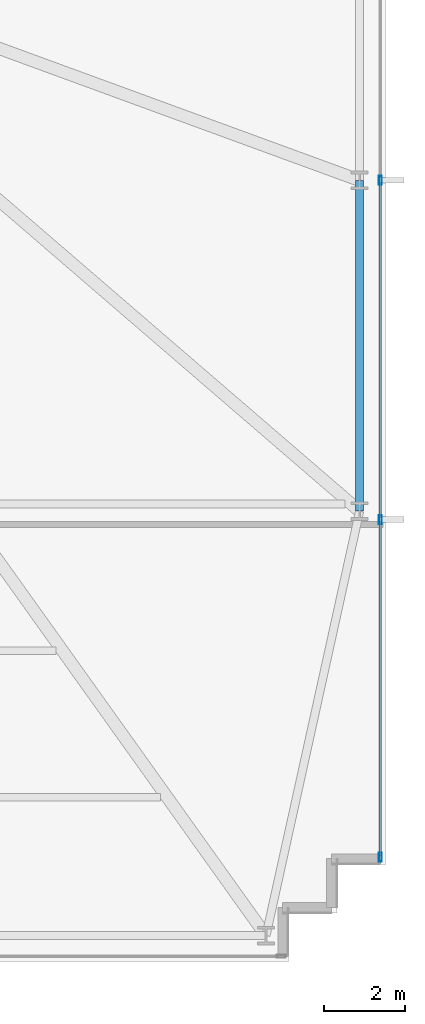
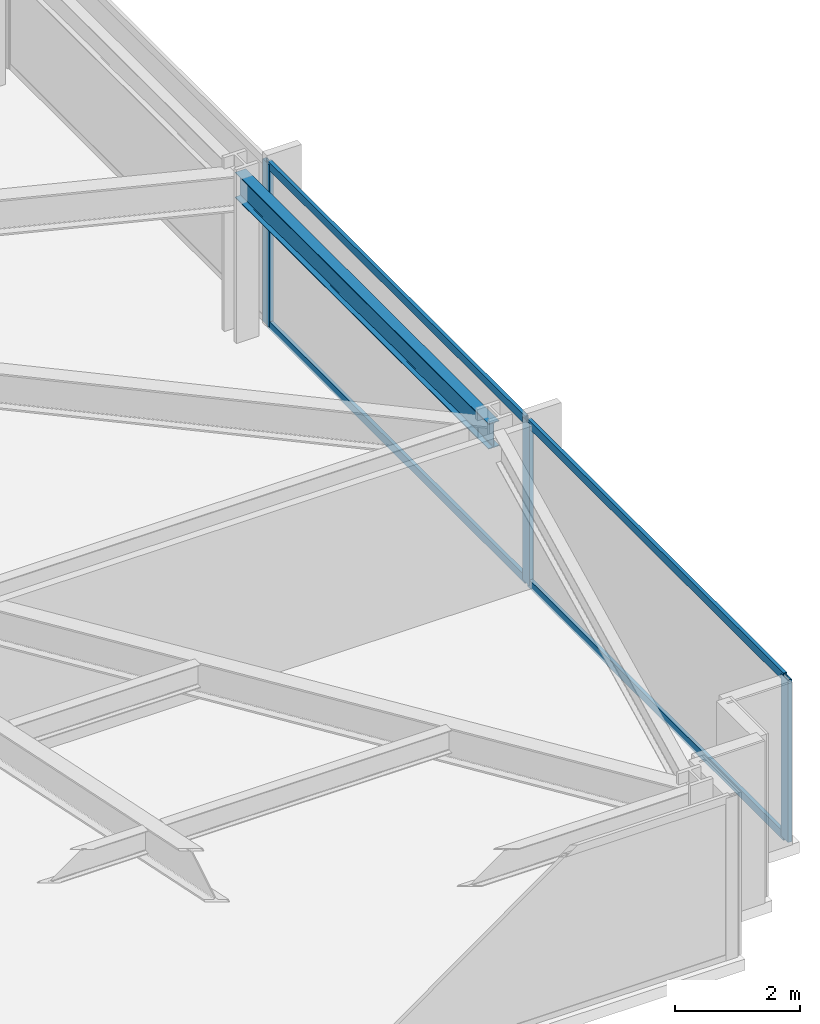
# One storey, part 22 of 32: 7 members, 1 beam, 1 element without a shape of its own.
"""IFC4 building model written with IfcOpenShell, lengths in metres."""

import ifcopenshell
import ifcopenshell.guid

model = None  # the IFC model being written
_history = None  # IfcOwnerHistory: only IFC2X3 demands one
_inside = {}  # id of a spatial element -> (the spatial element, [elements in it])
_under = {}  # id of a project, library or spatial element -> (it, [spatial elements below it])
_declared = {}  # id of a project -> (the project, [libraries it declares])
_typed = {}  # id of a type object -> (the type object, [elements of that type])
_made_of = {}  # id of a material, layer set ... -> (it, [elements and type objects made of it])


def new_model(schema):
    """Start an empty IFC model of exactly this schema.

    Asked for "IFC4X3", IfcOpenShell would pick the latest addendum, in which some entities
    have other attributes; the version numbers below select the first issue.
    IFC2X3 requires an IfcOwnerHistory on every rooted entity: one is made here for all.
    """
    global model, _history
    if schema == "IFC4X3":
        model = ifcopenshell.file(schema_version=(4, 3, 0, 0))
    else:
        model = ifcopenshell.file(schema=schema)
    _inside.clear()
    _under.clear()
    _declared.clear()
    _typed.clear()
    _made_of.clear()
    _history = None
    if model.schema == "IFC2X3":
        org = make("IfcOrganization", Name="unknown")
        user = make(
            "IfcPersonAndOrganization",
            ThePerson=make("IfcPerson", FamilyName="unknown"),
            TheOrganization=org,
        )
        app = make(
            "IfcApplication",
            ApplicationDeveloper=org,
            Version="unknown",
            ApplicationFullName="unknown",
            ApplicationIdentifier="unknown",
        )
        _history = make(
            "IfcOwnerHistory",
            OwningUser=user,
            OwningApplication=app,
            ChangeAction="ADDED",
            CreationDate=0,
        )
    return model


def make(cls, **values):
    """One entity of the class cls with the attributes given. An attribute that is None is left unset."""
    return model.create_entity(
        cls, **{name: value for name, value in values.items() if value is not None}
    )


def rooted(cls, **values):
    """An entity with a GlobalId (a new one), such as an element, a storey or a relation."""
    return make(cls, GlobalId=ifcopenshell.guid.new(), OwnerHistory=_history, **values)


def si_unit(unit_type, name, prefix=None):
    """IfcSIUnit, for example si_unit("LENGTHUNIT", "METRE", prefix="MILLI")."""
    return make("IfcSIUnit", UnitType=unit_type, Prefix=prefix, Name=name)


def assignment(units):
    """IfcUnitAssignment: the units of a project."""
    return None if units is None else make("IfcUnitAssignment", Units=units)


def point(xyz):
    """IfcCartesianPoint."""
    return None if xyz is None else make("IfcCartesianPoint", Coordinates=xyz)


def direction(xyz):
    """IfcDirection."""
    return None if xyz is None else make("IfcDirection", DirectionRatios=xyz)


def frame(location, z_axis=None, x_axis=None):
    """IfcAxis2Placement3D, a coordinate frame: its origin and axes. An axis left out is left unset."""
    return make(
        "IfcAxis2Placement3D",
        Location=point(location),
        Axis=direction(z_axis),
        RefDirection=direction(x_axis),
    )


def frame_2d(location, x_axis=None):
    """IfcAxis2Placement2D, a coordinate frame in the plane: its origin and x axis."""
    return make(
        "IfcAxis2Placement2D", Location=point(location), RefDirection=direction(x_axis)
    )


def origin():
    """The frame at (0, 0, 0) with its axes left unset."""
    return frame((0.0, 0.0, 0.0))


def origin_2d():
    """The frame at (0, 0) in the plane with its x axis left unset."""
    return frame_2d((0.0, 0.0))


def place(relative_to, where):
    """IfcLocalPlacement: puts the frame where relative to a parent placement (None: the world)."""
    return make(
        "IfcLocalPlacement", PlacementRelTo=relative_to, RelativePlacement=where
    )


def context(
    kind, dimensions, precision=None, world=None, true_north=None, identifier=None
):
    """IfcGeometricRepresentationContext, for example the 3D "Model" context."""
    return make(
        "IfcGeometricRepresentationContext",
        ContextIdentifier=identifier,
        ContextType=kind,
        CoordinateSpaceDimension=dimensions,
        Precision=precision,
        WorldCoordinateSystem=world,
        TrueNorth=true_north,
    )


def subcontext(parent, identifier, kind, view, scale=None):
    """IfcGeometricRepresentationSubContext, for example "Body" below "Model"."""
    return make(
        "IfcGeometricRepresentationSubContext",
        ContextIdentifier=identifier,
        ContextType=kind,
        ParentContext=parent,
        TargetScale=scale,
        TargetView=view,
    )


def project(units=None, contexts=None):
    """IfcProject with its units and contexts."""
    return rooted(
        "IfcProject",
        Name="project",
        RepresentationContexts=contexts,
        UnitsInContext=assignment(units),
    )


def spatial(cls, under=None, at=None, **own):
    """A site, building, storey or space (cls), placed at a placement, below another one or the project."""
    s = rooted(cls, ObjectPlacement=at, **own)
    if under is not None:
        _under.setdefault(under.id(), (under, []))[1].append(s)
    return s


def profile(cls, at=None, kind="AREA", **sizes):
    """A parametric profile (cls). Its sizes go by their IFC names, for example OverallWidth=200.0."""
    return make(cls, ProfileType=kind, Position=at, **sizes)


def hollow_rectangle(**sizes):
    """IfcRectangleHollowProfileDef."""
    return profile("IfcRectangleHollowProfileDef", **sizes)


def i_section(**sizes):
    """IfcIShapeProfileDef."""
    return profile("IfcIShapeProfileDef", **sizes)


def extrude(swept, where, along, depth):
    """IfcExtrudedAreaSolid: the profile swept, set in the frame where, extruded along a direction by depth."""
    return make(
        "IfcExtrudedAreaSolid",
        SweptArea=swept,
        Position=where,
        ExtrudedDirection=direction(along),
        Depth=depth,
    )


def shape(context_of_items, identifier, shape_type, items):
    """IfcShapeRepresentation: the items that make up one representation, for example the "Body"."""
    return make(
        "IfcShapeRepresentation",
        ContextOfItems=context_of_items,
        RepresentationIdentifier=identifier,
        RepresentationType=shape_type,
        Items=items,
    )


def material(Name=None, Category=None):
    """IfcMaterial."""
    return make("IfcMaterial", Name=Name, Category=Category)


def material_profile(
    of_material, cross_section, Name=None, Category=None, Priority=None
):
    """IfcMaterialProfile: a cross section and its material."""
    return make(
        "IfcMaterialProfile",
        Name=Name,
        Material=of_material,
        Profile=cross_section,
        Priority=Priority,
        Category=Category,
    )


def profile_set(profiles, Name=None, composite=None):
    """IfcMaterialProfileSet."""
    return make(
        "IfcMaterialProfileSet",
        Name=Name,
        MaterialProfiles=profiles,
        CompositeProfile=composite,
    )


def made_of(thing, what):
    """Note that an element or type object is made of a material, layer set ...; save() writes the relation."""
    if what is not None:
        _made_of.setdefault(what.id(), (what, []))[1].append(thing)
    return thing


def type_object(cls, material=None, **own):
    """A type object (cls), such as IfcWallType, which elements share."""
    return made_of(rooted(cls, **own), material)


def element(
    cls,
    number,
    at=None,
    inside=None,
    cuts=None,
    type_object=None,
    material=None,
    context=None,
    identifier="Body",
    shape_type=None,
    held_by="IfcProductDefinitionShape",
    body=None,
    shapes=None,
    **own,
):
    """One element of the class cls, such as IfcWall. Its Tag is "e" and its number.

    at: its placement. inside: the storey or other place that contains it. cuts: it is an
    opening in that element (IfcRelVoidsElement). A single representation is given by context,
    identifier, shape_type and body (its items); several are given by shapes. held_by: the class
    of the entity that holds the representations. save() writes the other relations.
    """
    e = rooted(cls, Tag="e%d" % number, ObjectPlacement=at, **own)
    if body is not None:
        shapes = [shape(context, identifier, shape_type, body)]
    if shapes is not None:
        e.Representation = make(held_by, Representations=shapes)
    if inside is not None:
        _inside.setdefault(inside.id(), (inside, []))[1].append(e)
    if cuts is not None:
        rooted(
            "IfcRelVoidsElement", RelatingBuildingElement=cuts, RelatedOpeningElement=e
        )
    if type_object is not None:
        _typed.setdefault(type_object.id(), (type_object, []))[1].append(e)
    return made_of(e, material)


def aggregate(whole, parts):
    """IfcRelAggregates: a whole, such as a stair, and the parts it consists of."""
    return rooted("IfcRelAggregates", RelatingObject=whole, RelatedObjects=parts)


def save(model, path):
    """Write the relations noted so far, then the file.

    IfcRelAggregates (storeys below a building ...), IfcRelContainedInSpatialStructure (elements
    in a storey), IfcRelDefinesByType, IfcRelAssociatesMaterial and IfcRelDeclares: one each for
    every whole, place, type object, material and project.
    """
    for whole, parts in _under.values():
        aggregate(whole, parts)
    for where, things in _inside.values():
        rooted(
            "IfcRelContainedInSpatialStructure",
            RelatedElements=things,
            RelatingStructure=where,
        )
    for kind, things in _typed.values():
        rooted("IfcRelDefinesByType", RelatedObjects=things, RelatingType=kind)
    for what, things in _made_of.values():
        rooted("IfcRelAssociatesMaterial", RelatedObjects=things, RelatingMaterial=what)
    for by, libraries in _declared.values():
        rooted("IfcRelDeclares", RelatingContext=by, RelatedDefinitions=libraries)
    model.write(path)


model = new_model("IFC4")

# Units and contexts
model_context = context("Model", 3, precision=1e-05, world=origin(), true_north=direction((0.0, 1.0)))
body_context = subcontext(model_context, "Body", "Model", "MODEL_VIEW")
ifc_project = project(units=[si_unit("LENGTHUNIT", "METRE"), si_unit("AREAUNIT", "SQUARE_METRE"), si_unit("VOLUMEUNIT", "CUBIC_METRE"), si_unit("PLANEANGLEUNIT", "RADIAN"), si_unit("MASSUNIT", "GRAM", prefix="KILO")], contexts=[model_context])

# Site, building, storey
site_placement = place(None, origin())
site = spatial("IfcSite", under=ifc_project, at=site_placement, CompositionType="ELEMENT")
building_placement = place(site_placement, origin())
building = spatial("IfcBuilding", under=site, at=building_placement, Name="Yelkora Congress Tower", CompositionType="ELEMENT")
storey_placement = place(building_placement, frame((0.0, 0.0, 40.60009765625)))
storey = spatial("IfcBuildingStorey", under=building, at=storey_placement, Name="L09", CompositionType="ELEMENT", Elevation=40.60009765625)

# Beam
ifc_material_1 = material(Name="Steel S355J2", Category="steel")
ifc_material_profile_1 = material_profile(ifc_material_1, i_section(OverallWidth=0.199951171875, OverallDepth=0.5, WebThickness=0.01025390625, FlangeThickness=0.01611328125, FilletRadius=0.02099609375, at=origin_2d()), Name="IPE 500")
ifc_profile_set_1 = profile_set([ifc_material_profile_1], Name="Steel S355J2")
beam_type = type_object("IfcBeamType", Name="BM-SPAN-IPE500", PredefinedType="SPANDREL", material=ifc_profile_set_1)
beam_placement = place(storey_placement, frame((70.14990234375, 21.27490234375, 2.929931640625), z_axis=(0.0, 1.0, 0.0), x_axis=(-1.0, 0.0, 0.0)))
element("IfcBeam", 1, at=beam_placement, inside=storey, type_object=beam_type, Name="L09 Perimeter Beam 11", PredefinedType="SPANDREL", context=body_context, shape_type="SweptSolid", body=[
    extrude(i_section(OverallWidth=0.199951171875, OverallDepth=0.5, WebThickness=0.01025390625, FlangeThickness=0.01611328125, FilletRadius=0.02099609375, at=origin_2d()), origin(), (0.0, 0.0, 1.0), 8.125),
])

# Curtain wall, members
ifc_material_2 = material(Name="Anodised aluminium and insulated glass", Category="aluminium")
curtain_wall_type = type_object("IfcCurtainWallType", Name="CW-SYS-B1", PredefinedType="NOTDEFINED", material=ifc_material_2)
curtain_wall_placement = place(storey_placement, origin())
curtain_wall = element("IfcCurtainWall", 2, at=curtain_wall_placement, inside=storey, type_object=curtain_wall_type, Name="L09 Unitised Curtain Wall 15", PredefinedType="NOTDEFINED")
ifc_material_3 = material(Name="Anodised aluminium 6063-T6", Category="aluminium")
ifc_material_profile_2 = material_profile(ifc_material_3, hollow_rectangle(XDim=0.074951171875, YDim=0.219970703125, WallThickness=0.0048828125, at=origin_2d()), Name="ALU 75x220x5")
ifc_profile_set_2 = profile_set([ifc_material_profile_2], Name="Anodised aluminium 6063-T6")
member_type_1 = type_object("IfcMemberType", Name="MEM-ML-B1", PredefinedType="MULLION", material=ifc_profile_set_2)
member_1_placement = place(storey_placement, frame((70.659912109375, 29.39990234375, 0.0), z_axis=(0.0, 0.0, 1.0), x_axis=(1.0, 0.0, 0.0)))
member_1 = element("IfcMember", 3, at=member_1_placement, type_object=member_type_1, Name="CW-B1 mullion 3", PredefinedType="MULLION", context=body_context, shape_type="SweptSolid", body=[
    extrude(hollow_rectangle(XDim=0.074951171875, YDim=0.219970703125, WallThickness=0.0048828125, at=origin_2d()), origin(), (0.0, 0.0, 1.0), 3.179931640625),
])
member_2_placement = place(storey_placement, frame((70.659912109375, 21.070068359375, 0.0), z_axis=(0.0, 0.0, 1.0), x_axis=(1.0, 0.0, 0.0)))
member_2 = element("IfcMember", 4, at=member_2_placement, type_object=member_type_1, Name="CW-B1 mullion 4", PredefinedType="MULLION", context=body_context, shape_type="SweptSolid", body=[
    extrude(hollow_rectangle(XDim=0.074951171875, YDim=0.219970703125, WallThickness=0.0048828125, at=origin_2d()), origin(), (0.0, 0.0, 1.0), 3.179931640625),
])
member_3_placement = place(storey_placement, frame((70.659912109375, 12.777587890625, 0.0), z_axis=(0.0, 0.0, 1.0), x_axis=(1.0, 0.0, 0.0)))
member_3 = element("IfcMember", 5, at=member_3_placement, type_object=member_type_1, Name="CW-B1 mullion 5", PredefinedType="MULLION", context=body_context, shape_type="SweptSolid", body=[
    extrude(hollow_rectangle(XDim=0.074951171875, YDim=0.219970703125, WallThickness=0.0048828125, at=origin_2d()), origin(), (0.0, 0.0, 1.0), 3.179931640625),
])
ifc_material_profile_3 = material_profile(ifc_material_3, hollow_rectangle(XDim=0.06494140625, YDim=0.159912109375, WallThickness=0.00390625, at=origin_2d()), Name="ALU 65x160x4")
ifc_profile_set_3 = profile_set([ifc_material_profile_3], Name="Anodised aluminium 6063-T6")
member_type_2 = type_object("IfcMemberType", Name="MEM-TR-B1", PredefinedType="USERDEFINED", material=ifc_profile_set_3)
member_4_placement = place(storey_placement, frame((70.659912109375, 29.362548828125, 0.032470703125), z_axis=(0.0, -1.0, 0.0), x_axis=(1.0, 0.0, 0.0)))
member_4 = element("IfcMember", 6, at=member_4_placement, type_object=member_type_2, Name="CW-B1 transom 3.1", ObjectType="TRANSOM", PredefinedType="USERDEFINED", context=body_context, shape_type="SweptSolid", body=[
    extrude(hollow_rectangle(XDim=0.06494140625, YDim=0.159912109375, WallThickness=0.00390625, at=origin_2d()), origin(), (0.0, 0.0, 1.0), 8.255126953125),
])
member_5_placement = place(storey_placement, frame((70.659912109375, 29.362548828125, 3.1474609375), z_axis=(0.0, -1.0, 0.0), x_axis=(1.0, 0.0, 0.0)))
member_5 = element("IfcMember", 7, at=member_5_placement, type_object=member_type_2, Name="CW-B1 transom 3.2", ObjectType="TRANSOM", PredefinedType="USERDEFINED", context=body_context, shape_type="SweptSolid", body=[
    extrude(hollow_rectangle(XDim=0.06494140625, YDim=0.159912109375, WallThickness=0.00390625, at=origin_2d()), origin(), (0.0, 0.0, 1.0), 8.255126953125),
])
member_6_placement = place(storey_placement, frame((70.659912109375, 21.032470703125, 0.032470703125), z_axis=(0.0, -1.0, 0.0), x_axis=(1.0, 0.0, 0.0)))
member_6 = element("IfcMember", 8, at=member_6_placement, type_object=member_type_2, Name="CW-B1 transom 4.1", ObjectType="TRANSOM", PredefinedType="USERDEFINED", context=body_context, shape_type="SweptSolid", body=[
    extrude(hollow_rectangle(XDim=0.06494140625, YDim=0.159912109375, WallThickness=0.00390625, at=origin_2d()), origin(), (0.0, 0.0, 1.0), 8.217529296875),
])
member_7_placement = place(storey_placement, frame((70.659912109375, 21.032470703125, 3.1474609375), z_axis=(0.0, -1.0, 0.0), x_axis=(1.0, 0.0, 0.0)))
member_7 = element("IfcMember", 9, at=member_7_placement, type_object=member_type_2, Name="CW-B1 transom 4.2", ObjectType="TRANSOM", PredefinedType="USERDEFINED", context=body_context, shape_type="SweptSolid", body=[
    extrude(hollow_rectangle(XDim=0.06494140625, YDim=0.159912109375, WallThickness=0.00390625, at=origin_2d()), origin(), (0.0, 0.0, 1.0), 8.217529296875),
])
aggregate(curtain_wall, [member_1, member_2, member_3, member_4, member_5, member_6, member_7])

save(model, "model.ifc")
